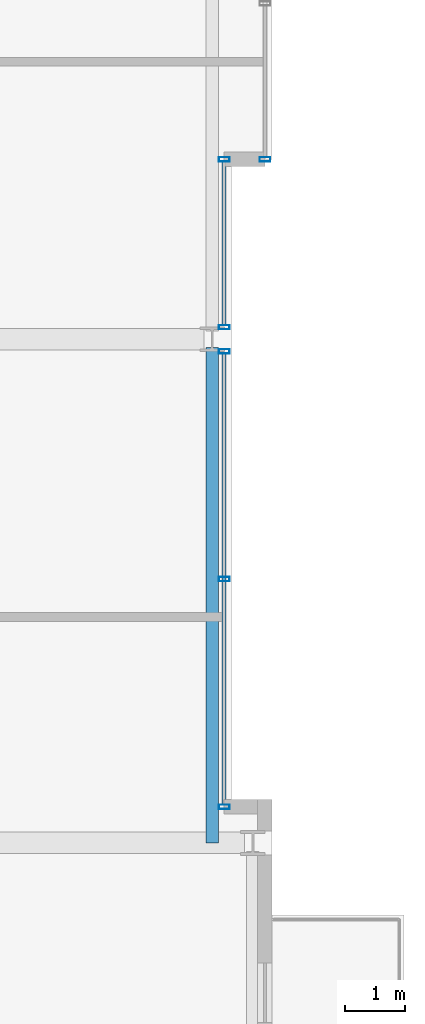
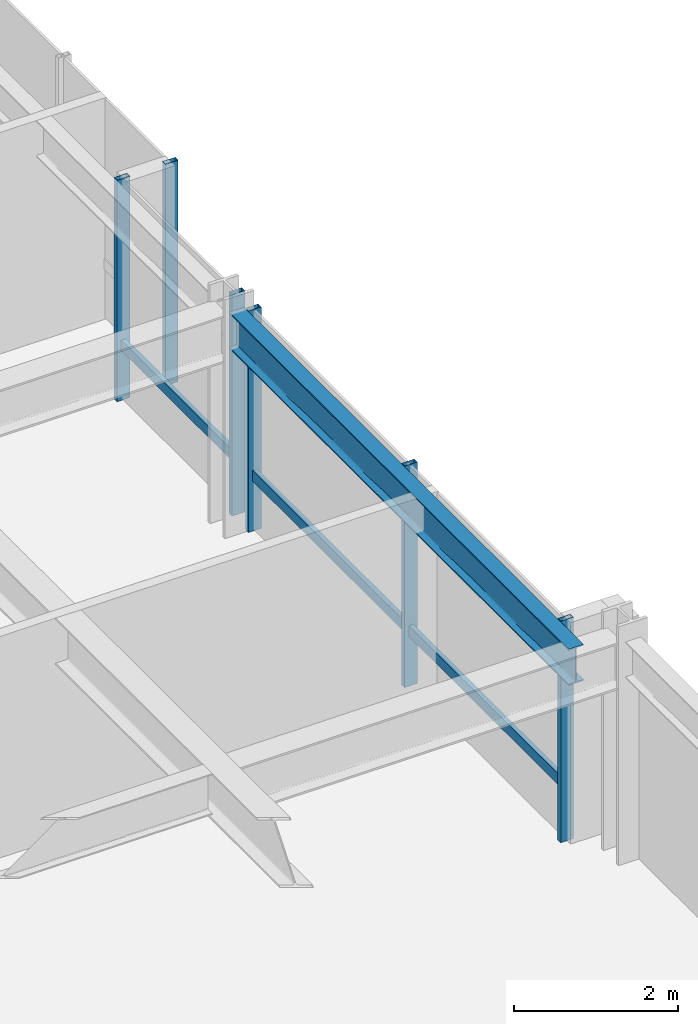
# One storey, part 15 of 32: 8 members, 1 beam, 3 elements without a shape of their own.
"""IFC4 building model written with IfcOpenShell, lengths in metres."""

from ifc_helpers import new_model, si_unit, direction, frame, origin, origin_2d, place, context, subcontext, project, spatial, hollow_rectangle, i_section, extrude, material, layer, layer_set, material_profile, profile_set, type_object, element, aggregate, save


model = new_model("IFC4")

# Units and contexts
model_context = context("Model", 3, precision=1e-05, world=origin(), true_north=direction((0.0, 1.0)))
body_context = subcontext(model_context, "Body", "Model", "MODEL_VIEW")
ifc_project = project(units=[si_unit("LENGTHUNIT", "METRE"), si_unit("AREAUNIT", "SQUARE_METRE"), si_unit("VOLUMEUNIT", "CUBIC_METRE"), si_unit("PLANEANGLEUNIT", "RADIAN"), si_unit("MASSUNIT", "GRAM", prefix="KILO")], contexts=[model_context])

# Site, building, storey
site_placement = place(None, origin())
site = spatial("IfcSite", under=ifc_project, at=site_placement, CompositionType="ELEMENT")
building_placement = place(site_placement, origin())
building = spatial("IfcBuilding", under=site, at=building_placement, Name="Drelvath Grand Hotel", CompositionType="ELEMENT")
storey_placement = place(building_placement, frame((0.0, 0.0, 164.60009765625)))
storey = spatial("IfcBuildingStorey", under=building, at=storey_placement, Name="L42", CompositionType="ELEMENT", Elevation=164.60009765625)

# Curtain wall, member
ifc_material_1 = material(Name="Brushed Pale-Silver Anodised Aluminium Frame", Category="aluminium")
ifc_layer = layer(ifc_material_1, 0.199951171875)
ifc_layer_set = layer_set([ifc_layer], Name="Brushed Pale-Silver Anodised Aluminium Frame")
curtain_wall_type = type_object("IfcCurtainWallType", Name="Stick Curtain Wall CW-04 Brushed Silver Upper-Mid", PredefinedType="NOTDEFINED", material=ifc_layer_set)
curtain_wall_1_placement = place(storey_placement, origin())
curtain_wall_1 = element("IfcCurtainWall", 1, at=curtain_wall_1_placement, inside=storey, type_object=curtain_wall_type, Name="L42 CW-04 Curtain Wall CW04-L42-EM1", PredefinedType="NOTDEFINED")
ifc_material_profile_1 = material_profile(ifc_material_1, hollow_rectangle(XDim=0.06494140625, YDim=0.159912109375, WallThickness=0.00390625, at=origin_2d()), Name="HSS160X65X4")
ifc_profile_set_1 = profile_set([ifc_material_profile_1], Name="Brushed Pale-Silver Anodised Aluminium Frame")
member_type_1 = type_object("IfcMemberType", Name="Curtain Wall Horizontal Transom CW-04 HSS160X65X4", PredefinedType="USERDEFINED", material=ifc_profile_set_1)
member_1_placement = place(storey_placement, frame((21.39990234375, 26.760009765625, 0.822509765625), z_axis=(0.0, -1.0, 0.0), x_axis=(1.0, 0.0, 0.0)))
member_1 = element("IfcMember", 2, at=member_1_placement, type_object=member_type_1, Name="CW04-L42-EM1 Sill Transom", ObjectType="TRANSOM", PredefinedType="USERDEFINED", context=body_context, shape_type="SweptSolid", body=[
    extrude(hollow_rectangle(XDim=0.06494140625, YDim=0.159912109375, WallThickness=0.00390625, at=origin_2d()), origin(), (0.0, 0.0, 1.0), 7.52001953125),
])

curtain_wall_2_placement = place(storey_placement, origin())
curtain_wall_2 = element("IfcCurtainWall", 3, at=curtain_wall_2_placement, inside=storey, type_object=curtain_wall_type, Name="L42 CW-04 Curtain Wall CW04-L42-EM2", PredefinedType="NOTDEFINED")
member_2_placement = place(storey_placement, frame((21.39990234375, 29.9599609375, 0.822509765625), z_axis=(0.0, -1.0, 0.0), x_axis=(1.0, 0.0, 0.0)))
member_2 = element("IfcMember", 4, at=member_2_placement, type_object=member_type_1, Name="CW04-L42-EM2 Sill Transom", ObjectType="TRANSOM", PredefinedType="USERDEFINED", context=body_context, shape_type="SweptSolid", body=[
    extrude(hollow_rectangle(XDim=0.06494140625, YDim=0.159912109375, WallThickness=0.00390625, at=origin_2d()), origin(), (0.0, 0.0, 1.0), 2.719970703125),
])

curtain_wall_3_placement = place(storey_placement, origin())
curtain_wall_3 = element("IfcCurtainWall", 5, at=curtain_wall_3_placement, inside=storey, type_object=curtain_wall_type, Name="L42 CW-04 Curtain Wall CW04-L42-EN1", PredefinedType="NOTDEFINED")
ifc_material_profile_2 = material_profile(ifc_material_1, hollow_rectangle(XDim=0.074951171875, YDim=0.179931640625, WallThickness=0.0048828125, at=origin_2d()), Name="HSS180X75X5")
ifc_profile_set_2 = profile_set([ifc_material_profile_2], Name="Brushed Pale-Silver Anodised Aluminium Frame")
member_type_2 = type_object("IfcMemberType", Name="Curtain Wall Vertical Mullion CW-04 HSS180X75X5", PredefinedType="MULLION", material=ifc_profile_set_2)
member_3_placement = place(storey_placement, frame((22.080078125, 30.0, 0.0), z_axis=(0.0, 0.0, 1.0), x_axis=(0.0, 1.0, 0.0)))
member_3 = element("IfcMember", 6, at=member_3_placement, type_object=member_type_2, Name="CW04-L42-EN1 Mullion 3", PredefinedType="MULLION", context=body_context, shape_type="SweptSolid", body=[
    extrude(hollow_rectangle(XDim=0.074951171875, YDim=0.179931640625, WallThickness=0.0048828125, at=origin_2d()), origin(), (0.0, 0.0, 1.0), 3.289794921875),
])
aggregate(curtain_wall_3, [member_3])

# Member
member_4_placement = place(storey_placement, frame((21.39990234375, 26.7998046875, 0.0), z_axis=(0.0, 0.0, 1.0), x_axis=(0.0, 1.0, 0.0)))
member_4 = element("IfcMember", 7, at=member_4_placement, type_object=member_type_2, Name="CW04-L42-EM1 Mullion 1", PredefinedType="MULLION", context=body_context, shape_type="SweptSolid", body=[
    extrude(hollow_rectangle(XDim=0.074951171875, YDim=0.179931640625, WallThickness=0.0048828125, at=origin_2d()), origin(), (0.0, 0.0, 1.0), 3.289794921875),
])

member_5_placement = place(storey_placement, frame((21.39990234375, 23.0, 0.0), z_axis=(0.0, 0.0, 1.0), x_axis=(0.0, 1.0, 0.0)))
member_5 = element("IfcMember", 8, at=member_5_placement, type_object=member_type_2, Name="CW04-L42-EM1 Mullion 2", PredefinedType="MULLION", context=body_context, shape_type="SweptSolid", body=[
    extrude(hollow_rectangle(XDim=0.074951171875, YDim=0.179931640625, WallThickness=0.0048828125, at=origin_2d()), origin(), (0.0, 0.0, 1.0), 3.289794921875),
])

member_6_placement = place(storey_placement, frame((21.39990234375, 19.199951171875, 0.0), z_axis=(0.0, 0.0, 1.0), x_axis=(0.0, 1.0, 0.0)))
member_6 = element("IfcMember", 9, at=member_6_placement, type_object=member_type_2, Name="CW04-L42-EM1 Mullion 3", PredefinedType="MULLION", context=body_context, shape_type="SweptSolid", body=[
    extrude(hollow_rectangle(XDim=0.074951171875, YDim=0.179931640625, WallThickness=0.0048828125, at=origin_2d()), origin(), (0.0, 0.0, 1.0), 3.289794921875),
])

aggregate(curtain_wall_1, [member_4, member_5, member_6, member_1])

member_7_placement = place(storey_placement, frame((21.39990234375, 30.0, 0.0), z_axis=(0.0, 0.0, 1.0), x_axis=(0.0, 1.0, 0.0)))
member_7 = element("IfcMember", 10, at=member_7_placement, type_object=member_type_2, Name="CW04-L42-EM2 Mullion 1", PredefinedType="MULLION", context=body_context, shape_type="SweptSolid", body=[
    extrude(hollow_rectangle(XDim=0.074951171875, YDim=0.179931640625, WallThickness=0.0048828125, at=origin_2d()), origin(), (0.0, 0.0, 1.0), 3.289794921875),
])

member_8_placement = place(storey_placement, frame((21.39990234375, 27.2001953125, 0.0), z_axis=(0.0, 0.0, 1.0), x_axis=(0.0, 1.0, 0.0)))
member_8 = element("IfcMember", 11, at=member_8_placement, type_object=member_type_2, Name="CW04-L42-EM2 Mullion 2", PredefinedType="MULLION", context=body_context, shape_type="SweptSolid", body=[
    extrude(hollow_rectangle(XDim=0.074951171875, YDim=0.179931640625, WallThickness=0.0048828125, at=origin_2d()), origin(), (0.0, 0.0, 1.0), 3.289794921875),
])

aggregate(curtain_wall_2, [member_7, member_8, member_2])

# Beam
ifc_material_2 = material(Name="Steel ASTM A992 Gr 50", Category="steel")
ifc_material_profile_3 = material_profile(ifc_material_2, i_section(OverallWidth=0.210205078125, OverallDepth=0.53662109375, WebThickness=0.010986328125, FlangeThickness=0.017333984375, FilletRadius=0.01806640625, at=origin_2d()), Name="W21X68")
ifc_profile_set_3 = profile_set([ifc_material_profile_3], Name="Steel ASTM A992 Gr 50")
beam_type = type_object("IfcBeamType", Name="Perimeter Spandrel Beam W21X68", PredefinedType="SPANDREL", material=ifc_profile_set_3)
beam_placement = place(storey_placement, frame((21.199951171875, 18.60009765625, 3.021484375), z_axis=(0.0, 1.0, 0.0), x_axis=(-1.0, 0.0, 0.0)))
element("IfcBeam", 12, at=beam_placement, inside=storey, type_object=beam_type, Name="L42 Spandrel East Mid S", PredefinedType="SPANDREL", context=body_context, shape_type="SweptSolid", body=[
    extrude(i_section(OverallWidth=0.210205078125, OverallDepth=0.53662109375, WebThickness=0.010986328125, FlangeThickness=0.017333984375, FilletRadius=0.01806640625, at=origin_2d()), origin(), (0.0, 0.0, 1.0), 8.260009765625),
])

save(model, "model.ifc")
